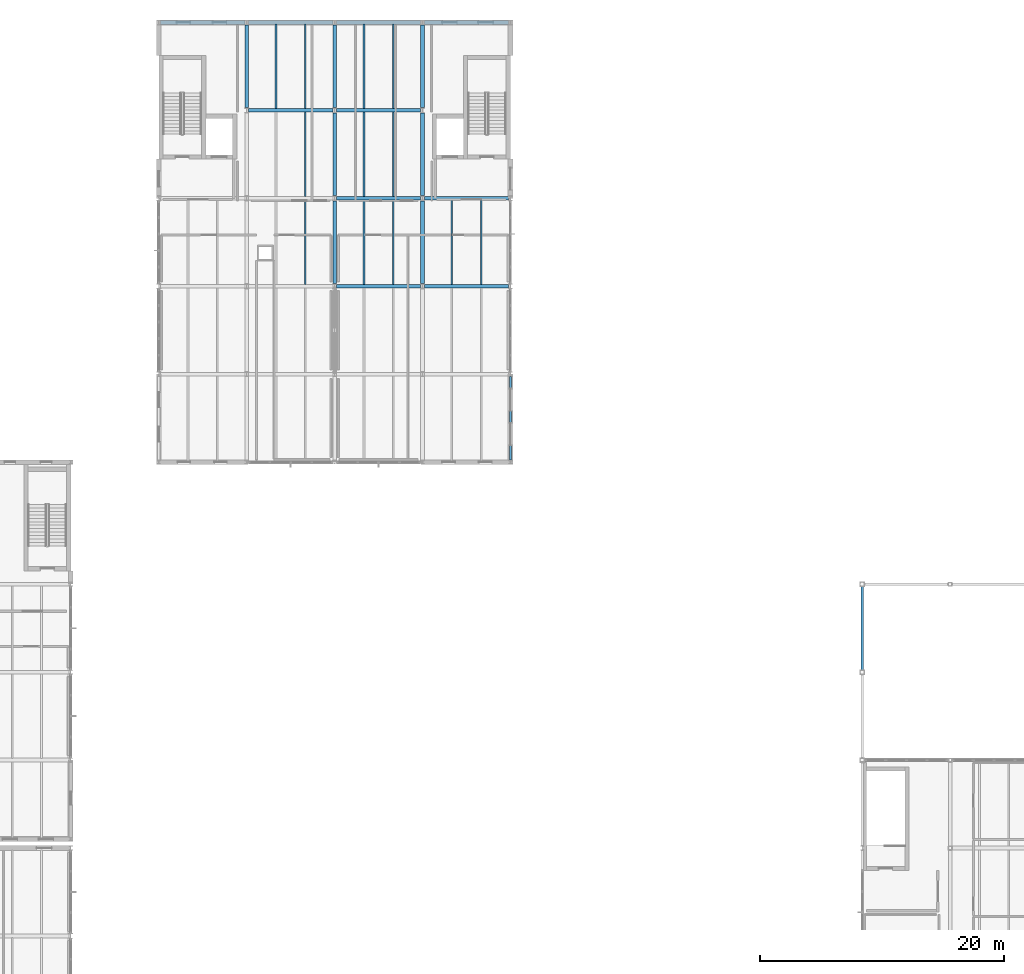
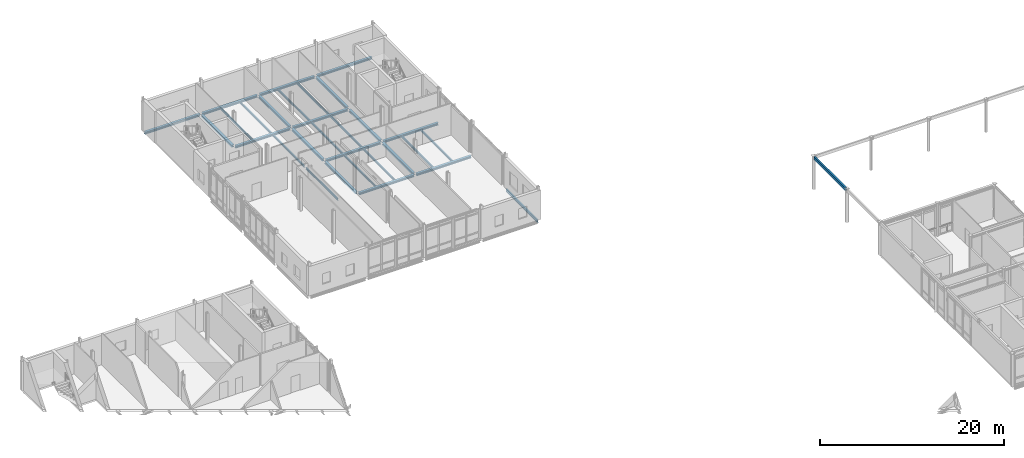
# One storey, part 30 of 72: 31 beams.
"""IFC4 building model written with IfcOpenShell, lengths in metres."""

import ifcopenshell
import ifcopenshell.guid

model = None  # the IFC model being written
_history = None  # IfcOwnerHistory: only IFC2X3 demands one
_inside = {}  # id of a spatial element -> (the spatial element, [elements in it])
_under = {}  # id of a project, library or spatial element -> (it, [spatial elements below it])
_declared = {}  # id of a project -> (the project, [libraries it declares])
_typed = {}  # id of a type object -> (the type object, [elements of that type])
_made_of = {}  # id of a material, layer set ... -> (it, [elements and type objects made of it])


def new_model(schema):
    """Start an empty IFC model of exactly this schema.

    Asked for "IFC4X3", IfcOpenShell would pick the latest addendum, in which some entities
    have other attributes; the version numbers below select the first issue.
    IFC2X3 requires an IfcOwnerHistory on every rooted entity: one is made here for all.
    """
    global model, _history
    if schema == "IFC4X3":
        model = ifcopenshell.file(schema_version=(4, 3, 0, 0))
    else:
        model = ifcopenshell.file(schema=schema)
    _inside.clear()
    _under.clear()
    _declared.clear()
    _typed.clear()
    _made_of.clear()
    _history = None
    if model.schema == "IFC2X3":
        org = make("IfcOrganization", Name="unknown")
        user = make(
            "IfcPersonAndOrganization",
            ThePerson=make("IfcPerson", FamilyName="unknown"),
            TheOrganization=org,
        )
        app = make(
            "IfcApplication",
            ApplicationDeveloper=org,
            Version="unknown",
            ApplicationFullName="unknown",
            ApplicationIdentifier="unknown",
        )
        _history = make(
            "IfcOwnerHistory",
            OwningUser=user,
            OwningApplication=app,
            ChangeAction="ADDED",
            CreationDate=0,
        )
    return model


def make(cls, **values):
    """One entity of the class cls with the attributes given. An attribute that is None is left unset."""
    return model.create_entity(
        cls, **{name: value for name, value in values.items() if value is not None}
    )


def rooted(cls, **values):
    """An entity with a GlobalId (a new one), such as an element, a storey or a relation."""
    return make(cls, GlobalId=ifcopenshell.guid.new(), OwnerHistory=_history, **values)


def si_unit(unit_type, name, prefix=None):
    """IfcSIUnit, for example si_unit("LENGTHUNIT", "METRE", prefix="MILLI")."""
    return make("IfcSIUnit", UnitType=unit_type, Prefix=prefix, Name=name)


def assignment(units):
    """IfcUnitAssignment: the units of a project."""
    return None if units is None else make("IfcUnitAssignment", Units=units)


def point(xyz):
    """IfcCartesianPoint."""
    return None if xyz is None else make("IfcCartesianPoint", Coordinates=xyz)


def direction(xyz):
    """IfcDirection."""
    return None if xyz is None else make("IfcDirection", DirectionRatios=xyz)


def frame(location, z_axis=None, x_axis=None):
    """IfcAxis2Placement3D, a coordinate frame: its origin and axes. An axis left out is left unset."""
    return make(
        "IfcAxis2Placement3D",
        Location=point(location),
        Axis=direction(z_axis),
        RefDirection=direction(x_axis),
    )


def frame_2d(location, x_axis=None):
    """IfcAxis2Placement2D, a coordinate frame in the plane: its origin and x axis."""
    return make(
        "IfcAxis2Placement2D", Location=point(location), RefDirection=direction(x_axis)
    )


def origin():
    """The frame at (0, 0, 0) with its axes left unset."""
    return frame((0.0, 0.0, 0.0))


def origin_2d():
    """The frame at (0, 0) in the plane with its x axis left unset."""
    return frame_2d((0.0, 0.0))


def place(relative_to, where):
    """IfcLocalPlacement: puts the frame where relative to a parent placement (None: the world)."""
    return make(
        "IfcLocalPlacement", PlacementRelTo=relative_to, RelativePlacement=where
    )


def context(
    kind, dimensions, precision=None, world=None, true_north=None, identifier=None
):
    """IfcGeometricRepresentationContext, for example the 3D "Model" context."""
    return make(
        "IfcGeometricRepresentationContext",
        ContextIdentifier=identifier,
        ContextType=kind,
        CoordinateSpaceDimension=dimensions,
        Precision=precision,
        WorldCoordinateSystem=world,
        TrueNorth=true_north,
    )


def subcontext(parent, identifier, kind, view, scale=None):
    """IfcGeometricRepresentationSubContext, for example "Body" below "Model"."""
    return make(
        "IfcGeometricRepresentationSubContext",
        ContextIdentifier=identifier,
        ContextType=kind,
        ParentContext=parent,
        TargetScale=scale,
        TargetView=view,
    )


def project(units=None, contexts=None):
    """IfcProject with its units and contexts."""
    return rooted(
        "IfcProject",
        Name="project",
        RepresentationContexts=contexts,
        UnitsInContext=assignment(units),
    )


def spatial(cls, under=None, at=None, **own):
    """A site, building, storey or space (cls), placed at a placement, below another one or the project."""
    s = rooted(cls, ObjectPlacement=at, **own)
    if under is not None:
        _under.setdefault(under.id(), (under, []))[1].append(s)
    return s


def profile(cls, at=None, kind="AREA", **sizes):
    """A parametric profile (cls). Its sizes go by their IFC names, for example OverallWidth=200.0."""
    return make(cls, ProfileType=kind, Position=at, **sizes)


def hollow_rectangle(**sizes):
    """IfcRectangleHollowProfileDef."""
    return profile("IfcRectangleHollowProfileDef", **sizes)


def i_section(**sizes):
    """IfcIShapeProfileDef."""
    return profile("IfcIShapeProfileDef", **sizes)


def extrude(swept, where, along, depth):
    """IfcExtrudedAreaSolid: the profile swept, set in the frame where, extruded along a direction by depth."""
    return make(
        "IfcExtrudedAreaSolid",
        SweptArea=swept,
        Position=where,
        ExtrudedDirection=direction(along),
        Depth=depth,
    )


def shape(context_of_items, identifier, shape_type, items):
    """IfcShapeRepresentation: the items that make up one representation, for example the "Body"."""
    return make(
        "IfcShapeRepresentation",
        ContextOfItems=context_of_items,
        RepresentationIdentifier=identifier,
        RepresentationType=shape_type,
        Items=items,
    )


def material(Name=None, Category=None):
    """IfcMaterial."""
    return make("IfcMaterial", Name=Name, Category=Category)


def material_profile(
    of_material, cross_section, Name=None, Category=None, Priority=None
):
    """IfcMaterialProfile: a cross section and its material."""
    return make(
        "IfcMaterialProfile",
        Name=Name,
        Material=of_material,
        Profile=cross_section,
        Priority=Priority,
        Category=Category,
    )


def profile_set(profiles, Name=None, composite=None):
    """IfcMaterialProfileSet."""
    return make(
        "IfcMaterialProfileSet",
        Name=Name,
        MaterialProfiles=profiles,
        CompositeProfile=composite,
    )


def made_of(thing, what):
    """Note that an element or type object is made of a material, layer set ...; save() writes the relation."""
    if what is not None:
        _made_of.setdefault(what.id(), (what, []))[1].append(thing)
    return thing


def type_object(cls, material=None, **own):
    """A type object (cls), such as IfcWallType, which elements share."""
    return made_of(rooted(cls, **own), material)


def element(
    cls,
    number,
    at=None,
    inside=None,
    cuts=None,
    type_object=None,
    material=None,
    context=None,
    identifier="Body",
    shape_type=None,
    held_by="IfcProductDefinitionShape",
    body=None,
    shapes=None,
    **own,
):
    """One element of the class cls, such as IfcWall. Its Tag is "e" and its number.

    at: its placement. inside: the storey or other place that contains it. cuts: it is an
    opening in that element (IfcRelVoidsElement). A single representation is given by context,
    identifier, shape_type and body (its items); several are given by shapes. held_by: the class
    of the entity that holds the representations. save() writes the other relations.
    """
    e = rooted(cls, Tag="e%d" % number, ObjectPlacement=at, **own)
    if body is not None:
        shapes = [shape(context, identifier, shape_type, body)]
    if shapes is not None:
        e.Representation = make(held_by, Representations=shapes)
    if inside is not None:
        _inside.setdefault(inside.id(), (inside, []))[1].append(e)
    if cuts is not None:
        rooted(
            "IfcRelVoidsElement", RelatingBuildingElement=cuts, RelatedOpeningElement=e
        )
    if type_object is not None:
        _typed.setdefault(type_object.id(), (type_object, []))[1].append(e)
    return made_of(e, material)


def aggregate(whole, parts):
    """IfcRelAggregates: a whole, such as a stair, and the parts it consists of."""
    return rooted("IfcRelAggregates", RelatingObject=whole, RelatedObjects=parts)


def save(model, path):
    """Write the relations noted so far, then the file.

    IfcRelAggregates (storeys below a building ...), IfcRelContainedInSpatialStructure (elements
    in a storey), IfcRelDefinesByType, IfcRelAssociatesMaterial and IfcRelDeclares: one each for
    every whole, place, type object, material and project.
    """
    for whole, parts in _under.values():
        aggregate(whole, parts)
    for where, things in _inside.values():
        rooted(
            "IfcRelContainedInSpatialStructure",
            RelatedElements=things,
            RelatingStructure=where,
        )
    for kind, things in _typed.values():
        rooted("IfcRelDefinesByType", RelatedObjects=things, RelatingType=kind)
    for what, things in _made_of.values():
        rooted("IfcRelAssociatesMaterial", RelatedObjects=things, RelatingMaterial=what)
    for by, libraries in _declared.values():
        rooted("IfcRelDeclares", RelatingContext=by, RelatedDefinitions=libraries)
    model.write(path)


model = new_model("IFC4")

# Units and contexts
model_context = context("Model", 3, precision=1e-05, world=origin(), true_north=direction((0.0, 1.0)))
body_context = subcontext(model_context, "Body", "Model", "MODEL_VIEW")
ifc_project = project(units=[si_unit("LENGTHUNIT", "METRE"), si_unit("AREAUNIT", "SQUARE_METRE"), si_unit("VOLUMEUNIT", "CUBIC_METRE"), si_unit("PLANEANGLEUNIT", "RADIAN"), si_unit("MASSUNIT", "GRAM", prefix="KILO")], contexts=[model_context])

# Site, building, storey
site_placement = place(None, origin())
site = spatial("IfcSite", under=ifc_project, at=site_placement, CompositionType="ELEMENT")
building_placement = place(site_placement, origin())
building = spatial("IfcBuilding", under=site, at=building_placement, Name="Zarrinpeak Specialist Clinic", CompositionType="ELEMENT")
storey_placement = place(building_placement, frame((0.0, 0.0, 9.60009765625)))
storey = spatial("IfcBuildingStorey", under=building, at=storey_placement, Name="L02", CompositionType="ELEMENT", Elevation=9.60009765625)

# Beams
ifc_material = material(Name="Steel S355", Category="steel")
ifc_material_profile_1 = material_profile(ifc_material, i_section(OverallWidth=0.300048828125, OverallDepth=0.2900390625, WebThickness=0.008544921875, FlangeThickness=0.013916015625, FilletRadius=0.027099609375, at=origin_2d()), Name="HEA 300")
ifc_profile_set_1 = profile_set([ifc_material_profile_1], Name="Steel S355")
beam_type_1 = type_object("IfcBeamType", Name="BM-HEA300", PredefinedType="BEAM", material=ifc_profile_set_1)
beam_1_placement = place(storey_placement, frame((50.548095703125, 96.39990234375, -0.360107421875), z_axis=(1.0, 0.0, 0.0), x_axis=(0.0, 1.0, 0.0)))
element("IfcBeam", 1, at=beam_1_placement, inside=storey, type_object=beam_type_1, Name="L02 Primary Floor Girder BM-L02-X1211", PredefinedType="BEAM", context=body_context, shape_type="SweptSolid", body=[
    extrude(i_section(OverallWidth=0.300048828125, OverallDepth=0.2900390625, WebThickness=0.008544921875, FlangeThickness=0.013916015625, FilletRadius=0.027099609375, at=origin_2d()), origin(), (0.0, 0.0, 1.0), 6.90380859375),
])
beam_2_placement = place(storey_placement, frame((57.748046875, 96.39990234375, -0.360107421875), z_axis=(1.0, 0.0, 0.0), x_axis=(0.0, 1.0, 0.0)))
element("IfcBeam", 2, at=beam_2_placement, inside=storey, type_object=beam_type_1, Name="L02 Primary Floor Girder BM-L02-X1212", PredefinedType="BEAM", context=body_context, shape_type="SweptSolid", body=[
    extrude(i_section(OverallWidth=0.300048828125, OverallDepth=0.2900390625, WebThickness=0.008544921875, FlangeThickness=0.013916015625, FilletRadius=0.027099609375, at=origin_2d()), origin(), (0.0, 0.0, 1.0), 6.904052734375),
])
beam_3_placement = place(storey_placement, frame((50.548095703125, 103.60009765625, -0.360107421875), z_axis=(1.0, 0.0, 0.0), x_axis=(0.0, 1.0, 0.0)))
element("IfcBeam", 3, at=beam_3_placement, inside=storey, type_object=beam_type_1, Name="L02 Primary Floor Girder BM-L02-X1215", PredefinedType="BEAM", context=body_context, shape_type="SweptSolid", body=[
    extrude(i_section(OverallWidth=0.300048828125, OverallDepth=0.2900390625, WebThickness=0.008544921875, FlangeThickness=0.013916015625, FilletRadius=0.027099609375, at=origin_2d()), origin(), (0.0, 0.0, 1.0), 6.90380859375),
])
for number, where, z_axis, x_axis, name in (
    (4, (57.748046875, 103.60009765625, -0.360107421875), (1.0, 0.0, 0.0), (0.0, 1.0, 0.0), "L02 Primary Floor Girder BM-L02-X1216"),
    (5, (43.347900390625, 110.800048828125, -0.360107421875), (1.0, 0.0, 0.0), (0.0, 1.0, 0.0), "L02 Primary Floor Girder BM-L02-X1217"),
):
    element("IfcBeam", number, at=place(storey_placement, frame(where, z_axis=z_axis, x_axis=x_axis)), inside=storey, type_object=beam_type_1, Name=name, PredefinedType="BEAM", context=body_context, shape_type="SweptSolid", body=[
        extrude(i_section(OverallWidth=0.300048828125, OverallDepth=0.2900390625, WebThickness=0.008544921875, FlangeThickness=0.013916015625, FilletRadius=0.027099609375, at=origin_2d()), origin(), (0.0, 0.0, 1.0), 6.904052734375),
    ])
beam_4_placement = place(storey_placement, frame((50.548095703125, 110.800048828125, -0.360107421875), z_axis=(1.0, 0.0, 0.0), x_axis=(0.0, 1.0, 0.0)))
element("IfcBeam", 6, at=beam_4_placement, inside=storey, type_object=beam_type_1, Name="L02 Primary Floor Girder BM-L02-X1218", PredefinedType="BEAM", context=body_context, shape_type="SweptSolid", body=[
    extrude(i_section(OverallWidth=0.300048828125, OverallDepth=0.2900390625, WebThickness=0.008544921875, FlangeThickness=0.013916015625, FilletRadius=0.027099609375, at=origin_2d()), origin(), (0.0, 0.0, 1.0), 6.90380859375),
])
for number, where, z_axis, x_axis, name in (
    (7, (36.14794921875, 118.0, -0.360107421875), (1.0, 0.0, 0.0), (0.0, 1.0, 0.0), "L02 Primary Floor Girder BM-L02-X1219"),
    (8, (43.347900390625, 118.0, -0.360107421875), (1.0, 0.0, 0.0), (0.0, 1.0, 0.0), "L02 Primary Floor Girder BM-L02-X1220"),
):
    element("IfcBeam", number, at=place(storey_placement, frame(where, z_axis=z_axis, x_axis=x_axis)), inside=storey, type_object=beam_type_1, Name=name, PredefinedType="BEAM", context=body_context, shape_type="SweptSolid", body=[
        extrude(i_section(OverallWidth=0.300048828125, OverallDepth=0.2900390625, WebThickness=0.008544921875, FlangeThickness=0.013916015625, FilletRadius=0.027099609375, at=origin_2d()), origin(), (0.0, 0.0, 1.0), 6.904052734375),
    ])
beam_5_placement = place(storey_placement, frame((50.548095703125, 118.0, -0.360107421875), z_axis=(1.0, 0.0, 0.0), x_axis=(0.0, 1.0, 0.0)))
element("IfcBeam", 9, at=beam_5_placement, inside=storey, type_object=beam_type_1, Name="L02 Primary Floor Girder BM-L02-X1221", PredefinedType="BEAM", context=body_context, shape_type="SweptSolid", body=[
    extrude(i_section(OverallWidth=0.300048828125, OverallDepth=0.2900390625, WebThickness=0.008544921875, FlangeThickness=0.013916015625, FilletRadius=0.027099609375, at=origin_2d()), origin(), (0.0, 0.0, 1.0), 6.90380859375),
])
beam_6_placement = place(storey_placement, frame((57.748046875, 118.0, -0.360107421875), z_axis=(1.0, 0.0, 0.0), x_axis=(0.0, 1.0, 0.0)))
element("IfcBeam", 10, at=beam_6_placement, inside=storey, type_object=beam_type_1, Name="L02 Primary Floor Girder BM-L02-X1222", PredefinedType="BEAM", context=body_context, shape_type="SweptSolid", body=[
    extrude(i_section(OverallWidth=0.300048828125, OverallDepth=0.2900390625, WebThickness=0.008544921875, FlangeThickness=0.013916015625, FilletRadius=0.027099609375, at=origin_2d()), origin(), (0.0, 0.0, 1.0), 6.904052734375),
])
beam_7_placement = place(storey_placement, frame((43.199951171875, 111.02294921875, -0.360107421875), z_axis=(0.0, 1.0, 0.0), x_axis=(-1.0, 0.0, 0.0)))
element("IfcBeam", 11, at=beam_7_placement, inside=storey, type_object=beam_type_1, Name="L02 Primary Beam BM-L02-Y1289", PredefinedType="BEAM", context=body_context, shape_type="SweptSolid", body=[
    extrude(i_section(OverallWidth=0.300048828125, OverallDepth=0.2900390625, WebThickness=0.008544921875, FlangeThickness=0.013916015625, FilletRadius=0.027099609375, at=origin_2d()), origin(), (0.0, 0.0, 1.0), 6.754150390625),
])
for number, where, z_axis, x_axis, name in (
    (12, (50.39990234375, 96.623046875, -0.360107421875), (0.0, 1.0, 0.0), (-1.0, 0.0, 0.0), "L02 Primary Beam BM-L02-Y1296"),
    (13, (50.39990234375, 103.822998046875, -0.360107421875), (0.0, 1.0, 0.0), (-1.0, 0.0, 0.0), "L02 Primary Beam BM-L02-Y1297"),
):
    element("IfcBeam", number, at=place(storey_placement, frame(where, z_axis=z_axis, x_axis=x_axis)), inside=storey, type_object=beam_type_1, Name=name, PredefinedType="BEAM", context=body_context, shape_type="SweptSolid", body=[
        extrude(i_section(OverallWidth=0.300048828125, OverallDepth=0.2900390625, WebThickness=0.008544921875, FlangeThickness=0.013916015625, FilletRadius=0.027099609375, at=origin_2d()), origin(), (0.0, 0.0, 1.0), 6.75390625),
    ])
beam_8_placement = place(storey_placement, frame((50.39990234375, 111.02294921875, -0.360107421875), z_axis=(0.0, 1.0, 0.0), x_axis=(-1.0, 0.0, 0.0)))
element("IfcBeam", 14, at=beam_8_placement, inside=storey, type_object=beam_type_1, Name="L02 Primary Beam BM-L02-Y1298", PredefinedType="BEAM", context=body_context, shape_type="SweptSolid", body=[
    extrude(i_section(OverallWidth=0.300048828125, OverallDepth=0.2900390625, WebThickness=0.008544921875, FlangeThickness=0.013916015625, FilletRadius=0.027099609375, at=origin_2d()), origin(), (0.0, 0.0, 1.0), 6.754150390625),
])
for number, where, z_axis, x_axis, name in (
    (15, (57.60009765625, 96.623046875, -0.360107421875), (0.0, 1.0, 0.0), (-1.0, 0.0, 0.0), "L02 Primary Beam BM-L02-Y1303"),
    (16, (57.60009765625, 103.822998046875, -0.360107421875), (0.0, 1.0, 0.0), (-1.0, 0.0, 0.0), "L02 Primary Beam BM-L02-Y1304"),
):
    element("IfcBeam", number, at=place(storey_placement, frame(where, z_axis=z_axis, x_axis=x_axis)), inside=storey, type_object=beam_type_1, Name=name, PredefinedType="BEAM", context=body_context, shape_type="SweptSolid", body=[
        extrude(i_section(OverallWidth=0.300048828125, OverallDepth=0.2900390625, WebThickness=0.008544921875, FlangeThickness=0.013916015625, FilletRadius=0.027099609375, at=origin_2d()), origin(), (0.0, 0.0, 1.0), 6.75390625),
    ])
beam_9_placement = place(storey_placement, frame((57.60009765625, 111.02294921875, -0.360107421875), z_axis=(0.0, 1.0, 0.0), x_axis=(-1.0, 0.0, 0.0)))
element("IfcBeam", 17, at=beam_9_placement, inside=storey, type_object=beam_type_1, Name="L02 Primary Beam BM-L02-Y1305", PredefinedType="BEAM", context=body_context, shape_type="SweptSolid", body=[
    extrude(i_section(OverallWidth=0.300048828125, OverallDepth=0.2900390625, WebThickness=0.008544921875, FlangeThickness=0.013916015625, FilletRadius=0.027099609375, at=origin_2d()), origin(), (0.0, 0.0, 1.0), 6.754150390625),
])
ifc_material_profile_2 = material_profile(ifc_material, i_section(OverallWidth=0.135009765625, OverallDepth=0.27001953125, WebThickness=0.006591796875, FlangeThickness=0.01025390625, FilletRadius=0.014892578125, at=origin_2d()), Name="IPE 270")
ifc_profile_set_2 = profile_set([ifc_material_profile_2], Name="Steel S355")
beam_type_2 = type_object("IfcBeamType", Name="BM-JST270", PredefinedType="JOIST", material=ifc_profile_set_2)
beam_10_placement = place(storey_placement, frame((48.0, 96.548095703125, -0.35009765625), z_axis=(0.0, 1.0, 0.0), x_axis=(-1.0, 0.0, 0.0)))
element("IfcBeam", 18, at=beam_10_placement, inside=storey, type_object=beam_type_2, Name="L02 Composite Floor Joist JST-L02-1465", PredefinedType="JOIST", context=body_context, shape_type="SweptSolid", body=[
    extrude(i_section(OverallWidth=0.135009765625, OverallDepth=0.27001953125, WebThickness=0.006591796875, FlangeThickness=0.01025390625, FilletRadius=0.014892578125, at=origin_2d()), origin(), (0.0, 0.0, 1.0), 6.90380859375),
])
for number, where, z_axis, x_axis, name in (
    (19, (48.0, 103.748046875, -0.35009765625), (0.0, 1.0, 0.0), (-1.0, 0.0, 0.0), "L02 Composite Floor Joist JST-L02-1467"),
    (20, (45.60009765625, 110.947998046875, -0.35009765625), (0.0, 1.0, 0.0), (-1.0, 0.0, 0.0), "L02 Composite Floor Joist JST-L02-1468"),
    (21, (48.0, 110.947998046875, -0.35009765625), (0.0, 1.0, 0.0), (-1.0, 0.0, 0.0), "L02 Composite Floor Joist JST-L02-1469"),
):
    element("IfcBeam", number, at=place(storey_placement, frame(where, z_axis=z_axis, x_axis=x_axis)), inside=storey, type_object=beam_type_2, Name=name, PredefinedType="JOIST", context=body_context, shape_type="SweptSolid", body=[
        extrude(i_section(OverallWidth=0.135009765625, OverallDepth=0.27001953125, WebThickness=0.006591796875, FlangeThickness=0.01025390625, FilletRadius=0.014892578125, at=origin_2d()), origin(), (0.0, 0.0, 1.0), 6.904052734375),
    ])
for number, where, z_axis, x_axis, name in (
    (22, (52.800048828125, 96.548095703125, -0.35009765625), (0.0, 1.0, 0.0), (-1.0, 0.0, 0.0), "L02 Composite Floor Joist JST-L02-1474"),
    (23, (55.199951171875, 96.548095703125, -0.35009765625), (0.0, 1.0, 0.0), (-1.0, 0.0, 0.0), "L02 Composite Floor Joist JST-L02-1475"),
):
    element("IfcBeam", number, at=place(storey_placement, frame(where, z_axis=z_axis, x_axis=x_axis)), inside=storey, type_object=beam_type_2, Name=name, PredefinedType="JOIST", context=body_context, shape_type="SweptSolid", body=[
        extrude(i_section(OverallWidth=0.135009765625, OverallDepth=0.27001953125, WebThickness=0.006591796875, FlangeThickness=0.01025390625, FilletRadius=0.014892578125, at=origin_2d()), origin(), (0.0, 0.0, 1.0), 6.90380859375),
    ])
for number, where, z_axis, x_axis, name in (
    (24, (52.800048828125, 103.748046875, -0.35009765625), (0.0, 1.0, 0.0), (-1.0, 0.0, 0.0), "L02 Composite Floor Joist JST-L02-1476"),
    (25, (55.199951171875, 103.748046875, -0.35009765625), (0.0, 1.0, 0.0), (-1.0, 0.0, 0.0), "L02 Composite Floor Joist JST-L02-1477"),
    (26, (52.800048828125, 110.947998046875, -0.35009765625), (0.0, 1.0, 0.0), (-1.0, 0.0, 0.0), "L02 Composite Floor Joist JST-L02-1478"),
    (27, (55.199951171875, 110.947998046875, -0.35009765625), (0.0, 1.0, 0.0), (-1.0, 0.0, 0.0), "L02 Composite Floor Joist JST-L02-1479"),
):
    element("IfcBeam", number, at=place(storey_placement, frame(where, z_axis=z_axis, x_axis=x_axis)), inside=storey, type_object=beam_type_2, Name=name, PredefinedType="JOIST", context=body_context, shape_type="SweptSolid", body=[
        extrude(i_section(OverallWidth=0.135009765625, OverallDepth=0.27001953125, WebThickness=0.006591796875, FlangeThickness=0.01025390625, FilletRadius=0.014892578125, at=origin_2d()), origin(), (0.0, 0.0, 1.0), 6.904052734375),
    ])
for number, where, z_axis, x_axis, name in (
    (28, (60.0, 96.548095703125, -0.35009765625), (0.0, 1.0, 0.0), (-1.0, 0.0, 0.0), "L02 Composite Floor Joist JST-L02-1484"),
    (29, (62.39990234375, 96.548095703125, -0.35009765625), (0.0, 1.0, 0.0), (-1.0, 0.0, 0.0), "L02 Composite Floor Joist JST-L02-1485"),
):
    element("IfcBeam", number, at=place(storey_placement, frame(where, z_axis=z_axis, x_axis=x_axis)), inside=storey, type_object=beam_type_2, Name=name, PredefinedType="JOIST", context=body_context, shape_type="SweptSolid", body=[
        extrude(i_section(OverallWidth=0.135009765625, OverallDepth=0.27001953125, WebThickness=0.006591796875, FlangeThickness=0.01025390625, FilletRadius=0.014892578125, at=origin_2d()), origin(), (0.0, 0.0, 1.0), 6.90380859375),
    ])
ifc_material_profile_3 = material_profile(ifc_material, hollow_rectangle(XDim=0.199951171875, YDim=0.39990234375, WallThickness=0.01611328125, at=origin_2d()), Name="RHS 400x200x16.0")
ifc_profile_set_3 = profile_set([ifc_material_profile_3], Name="Steel S355")
beam_type_3 = type_object("IfcBeamType", Name="BM-RING400", PredefinedType="BEAM", material=ifc_profile_set_3)
beam_11_placement = place(storey_placement, frame((93.60009765625, 64.97998046875, 4.199951171875), z_axis=(0.0, 1.0, 0.0), x_axis=(-1.0, 0.0, 0.0)))
element("IfcBeam", 30, at=beam_11_placement, inside=storey, type_object=beam_type_3, Name="V3 Gridshell Perimeter Ring Beam RB-V3-Y2560", PredefinedType="BEAM", context=body_context, shape_type="SweptSolid", body=[
    extrude(hollow_rectangle(XDim=0.199951171875, YDim=0.39990234375, WallThickness=0.01611328125, at=origin_2d()), origin(), (0.0, 0.0, 1.0), 6.840087890625),
])
ifc_material_profile_4 = material_profile(ifc_material, i_section(OverallWidth=0.169921875, OverallDepth=0.360107421875, WebThickness=0.008056640625, FlangeThickness=0.0126953125, FilletRadius=0.01806640625, at=origin_2d()), Name="IPE 360")
ifc_profile_set_4 = profile_set([ifc_material_profile_4], Name="Steel S355")
beam_type_4 = type_object("IfcBeamType", Name="BM-SP360", PredefinedType="SPANDREL", material=ifc_profile_set_4)
beam_12_placement = place(storey_placement, frame((64.800048828125, 82.157958984375, -0.39501953125), z_axis=(0.0, 1.0, 0.0), x_axis=(-1.0, 0.0, 0.0)))
element("IfcBeam", 31, at=beam_12_placement, inside=storey, type_object=beam_type_4, Name="L02 Perimeter Spandrel Beam BM-L02-Y1310", PredefinedType="SPANDREL", context=body_context, shape_type="SweptSolid", body=[
    extrude(i_section(OverallWidth=0.169921875, OverallDepth=0.360107421875, WebThickness=0.008056640625, FlangeThickness=0.0126953125, FilletRadius=0.01806640625, at=origin_2d()), origin(), (0.0, 0.0, 1.0), 6.843994140625),
])

save(model, "model.ifc")
